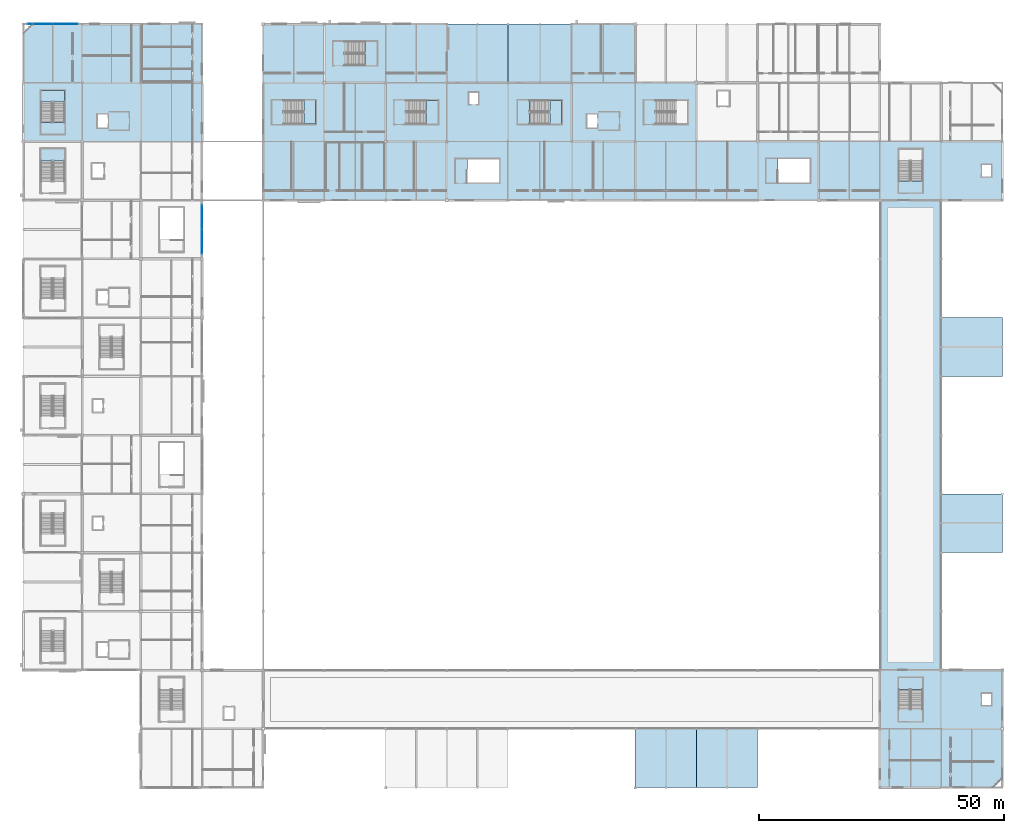
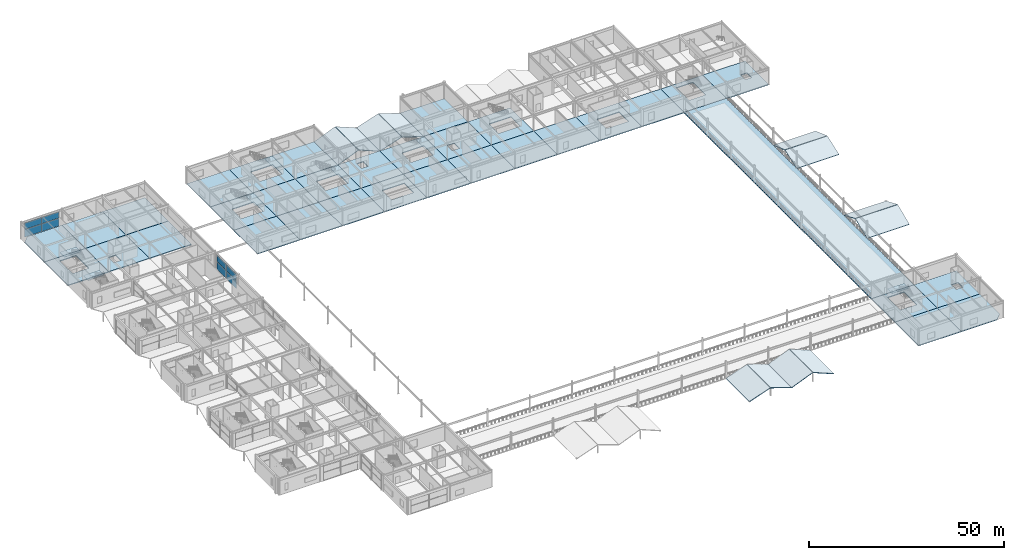
# One storey, part 59 of 105: 53 slabs, 8 plates, 9 elements without a shape of their own.
"""IFC4 building model written with IfcOpenShell, lengths in metres."""

import ifcopenshell
import ifcopenshell.guid

model = None  # the IFC model being written
_history = None  # IfcOwnerHistory: only IFC2X3 demands one
_inside = {}  # id of a spatial element -> (the spatial element, [elements in it])
_under = {}  # id of a project, library or spatial element -> (it, [spatial elements below it])
_declared = {}  # id of a project -> (the project, [libraries it declares])
_typed = {}  # id of a type object -> (the type object, [elements of that type])
_made_of = {}  # id of a material, layer set ... -> (it, [elements and type objects made of it])


def new_model(schema):
    """Start an empty IFC model of exactly this schema.

    Asked for "IFC4X3", IfcOpenShell would pick the latest addendum, in which some entities
    have other attributes; the version numbers below select the first issue.
    IFC2X3 requires an IfcOwnerHistory on every rooted entity: one is made here for all.
    """
    global model, _history
    if schema == "IFC4X3":
        model = ifcopenshell.file(schema_version=(4, 3, 0, 0))
    else:
        model = ifcopenshell.file(schema=schema)
    _inside.clear()
    _under.clear()
    _declared.clear()
    _typed.clear()
    _made_of.clear()
    _history = None
    if model.schema == "IFC2X3":
        org = make("IfcOrganization", Name="unknown")
        user = make(
            "IfcPersonAndOrganization",
            ThePerson=make("IfcPerson", FamilyName="unknown"),
            TheOrganization=org,
        )
        app = make(
            "IfcApplication",
            ApplicationDeveloper=org,
            Version="unknown",
            ApplicationFullName="unknown",
            ApplicationIdentifier="unknown",
        )
        _history = make(
            "IfcOwnerHistory",
            OwningUser=user,
            OwningApplication=app,
            ChangeAction="ADDED",
            CreationDate=0,
        )
    return model


def make(cls, **values):
    """One entity of the class cls with the attributes given. An attribute that is None is left unset."""
    return model.create_entity(
        cls, **{name: value for name, value in values.items() if value is not None}
    )


def rooted(cls, **values):
    """An entity with a GlobalId (a new one), such as an element, a storey or a relation."""
    return make(cls, GlobalId=ifcopenshell.guid.new(), OwnerHistory=_history, **values)


def si_unit(unit_type, name, prefix=None):
    """IfcSIUnit, for example si_unit("LENGTHUNIT", "METRE", prefix="MILLI")."""
    return make("IfcSIUnit", UnitType=unit_type, Prefix=prefix, Name=name)


def assignment(units):
    """IfcUnitAssignment: the units of a project."""
    return None if units is None else make("IfcUnitAssignment", Units=units)


def point(xyz):
    """IfcCartesianPoint."""
    return None if xyz is None else make("IfcCartesianPoint", Coordinates=xyz)


def direction(xyz):
    """IfcDirection."""
    return None if xyz is None else make("IfcDirection", DirectionRatios=xyz)


def frame(location, z_axis=None, x_axis=None):
    """IfcAxis2Placement3D, a coordinate frame: its origin and axes. An axis left out is left unset."""
    return make(
        "IfcAxis2Placement3D",
        Location=point(location),
        Axis=direction(z_axis),
        RefDirection=direction(x_axis),
    )


def frame_2d(location, x_axis=None):
    """IfcAxis2Placement2D, a coordinate frame in the plane: its origin and x axis."""
    return make(
        "IfcAxis2Placement2D", Location=point(location), RefDirection=direction(x_axis)
    )


def origin():
    """The frame at (0, 0, 0) with its axes left unset."""
    return frame((0.0, 0.0, 0.0))


def origin_2d():
    """The frame at (0, 0) in the plane with its x axis left unset."""
    return frame_2d((0.0, 0.0))


def place(relative_to, where):
    """IfcLocalPlacement: puts the frame where relative to a parent placement (None: the world)."""
    return make(
        "IfcLocalPlacement", PlacementRelTo=relative_to, RelativePlacement=where
    )


def context(
    kind, dimensions, precision=None, world=None, true_north=None, identifier=None
):
    """IfcGeometricRepresentationContext, for example the 3D "Model" context."""
    return make(
        "IfcGeometricRepresentationContext",
        ContextIdentifier=identifier,
        ContextType=kind,
        CoordinateSpaceDimension=dimensions,
        Precision=precision,
        WorldCoordinateSystem=world,
        TrueNorth=true_north,
    )


def subcontext(parent, identifier, kind, view, scale=None):
    """IfcGeometricRepresentationSubContext, for example "Body" below "Model"."""
    return make(
        "IfcGeometricRepresentationSubContext",
        ContextIdentifier=identifier,
        ContextType=kind,
        ParentContext=parent,
        TargetScale=scale,
        TargetView=view,
    )


def project(units=None, contexts=None):
    """IfcProject with its units and contexts."""
    return rooted(
        "IfcProject",
        Name="project",
        RepresentationContexts=contexts,
        UnitsInContext=assignment(units),
    )


def spatial(cls, under=None, at=None, **own):
    """A site, building, storey or space (cls), placed at a placement, below another one or the project."""
    s = rooted(cls, ObjectPlacement=at, **own)
    if under is not None:
        _under.setdefault(under.id(), (under, []))[1].append(s)
    return s


def polyline(points):
    """IfcPolyline through the points."""
    return make("IfcPolyline", Points=[point(p) for p in points])


def profile(cls, at=None, kind="AREA", **sizes):
    """A parametric profile (cls). Its sizes go by their IFC names, for example OverallWidth=200.0."""
    return make(cls, ProfileType=kind, Position=at, **sizes)


def rectangle(**sizes):
    """IfcRectangleProfileDef."""
    return profile("IfcRectangleProfileDef", **sizes)


def outline(outer, holes=None, kind="AREA"):
    """IfcArbitraryClosedProfileDef: a profile drawn as a closed curve; with holes, ...WithVoids."""
    if holes is None:
        return make("IfcArbitraryClosedProfileDef", ProfileType=kind, OuterCurve=outer)
    return make(
        "IfcArbitraryProfileDefWithVoids",
        ProfileType=kind,
        OuterCurve=outer,
        InnerCurves=holes,
    )


def extrude(swept, where, along, depth):
    """IfcExtrudedAreaSolid: the profile swept, set in the frame where, extruded along a direction by depth."""
    return make(
        "IfcExtrudedAreaSolid",
        SweptArea=swept,
        Position=where,
        ExtrudedDirection=direction(along),
        Depth=depth,
    )


def shape(context_of_items, identifier, shape_type, items):
    """IfcShapeRepresentation: the items that make up one representation, for example the "Body"."""
    return make(
        "IfcShapeRepresentation",
        ContextOfItems=context_of_items,
        RepresentationIdentifier=identifier,
        RepresentationType=shape_type,
        Items=items,
    )


def material(Name=None, Category=None):
    """IfcMaterial."""
    return make("IfcMaterial", Name=Name, Category=Category)


def layer(
    of_material, thickness, ventilated=None, Name=None, Category=None, Priority=None
):
    """IfcMaterialLayer: one layer of a wall or slab, of a material (None: an air gap)."""
    return make(
        "IfcMaterialLayer",
        Material=of_material,
        LayerThickness=thickness,
        IsVentilated=ventilated,
        Name=Name,
        Category=Category,
        Priority=Priority,
    )


def layer_set(layers, Name=None):
    """IfcMaterialLayerSet."""
    return make("IfcMaterialLayerSet", MaterialLayers=layers, LayerSetName=Name)


def made_of(thing, what):
    """Note that an element or type object is made of a material, layer set ...; save() writes the relation."""
    if what is not None:
        _made_of.setdefault(what.id(), (what, []))[1].append(thing)
    return thing


def type_object(cls, material=None, **own):
    """A type object (cls), such as IfcWallType, which elements share."""
    return made_of(rooted(cls, **own), material)


def element(
    cls,
    number,
    at=None,
    inside=None,
    cuts=None,
    type_object=None,
    material=None,
    context=None,
    identifier="Body",
    shape_type=None,
    held_by="IfcProductDefinitionShape",
    body=None,
    shapes=None,
    **own,
):
    """One element of the class cls, such as IfcWall. Its Tag is "e" and its number.

    at: its placement. inside: the storey or other place that contains it. cuts: it is an
    opening in that element (IfcRelVoidsElement). A single representation is given by context,
    identifier, shape_type and body (its items); several are given by shapes. held_by: the class
    of the entity that holds the representations. save() writes the other relations.
    """
    e = rooted(cls, Tag="e%d" % number, ObjectPlacement=at, **own)
    if body is not None:
        shapes = [shape(context, identifier, shape_type, body)]
    if shapes is not None:
        e.Representation = make(held_by, Representations=shapes)
    if inside is not None:
        _inside.setdefault(inside.id(), (inside, []))[1].append(e)
    if cuts is not None:
        rooted(
            "IfcRelVoidsElement", RelatingBuildingElement=cuts, RelatedOpeningElement=e
        )
    if type_object is not None:
        _typed.setdefault(type_object.id(), (type_object, []))[1].append(e)
    return made_of(e, material)


def aggregate(whole, parts):
    """IfcRelAggregates: a whole, such as a stair, and the parts it consists of."""
    return rooted("IfcRelAggregates", RelatingObject=whole, RelatedObjects=parts)


def save(model, path):
    """Write the relations noted so far, then the file.

    IfcRelAggregates (storeys below a building ...), IfcRelContainedInSpatialStructure (elements
    in a storey), IfcRelDefinesByType, IfcRelAssociatesMaterial and IfcRelDeclares: one each for
    every whole, place, type object, material and project.
    """
    for whole, parts in _under.values():
        aggregate(whole, parts)
    for where, things in _inside.values():
        rooted(
            "IfcRelContainedInSpatialStructure",
            RelatedElements=things,
            RelatingStructure=where,
        )
    for kind, things in _typed.values():
        rooted("IfcRelDefinesByType", RelatedObjects=things, RelatingType=kind)
    for what, things in _made_of.values():
        rooted("IfcRelAssociatesMaterial", RelatedObjects=things, RelatingMaterial=what)
    for by, libraries in _declared.values():
        rooted("IfcRelDeclares", RelatingContext=by, RelatedDefinitions=libraries)
    model.write(path)


model = new_model("IFC4")

# Units and contexts
model_context = context("Model", 3, precision=1e-05, world=origin(), true_north=direction((0.0, 1.0)))
body_context = subcontext(model_context, "Body", "Model", "MODEL_VIEW")
ifc_project = project(units=[si_unit("LENGTHUNIT", "METRE"), si_unit("AREAUNIT", "SQUARE_METRE"), si_unit("VOLUMEUNIT", "CUBIC_METRE"), si_unit("PLANEANGLEUNIT", "RADIAN"), si_unit("MASSUNIT", "GRAM", prefix="KILO")], contexts=[model_context])

# Site, building, storey
site_placement = place(None, origin())
site = spatial("IfcSite", under=ifc_project, at=site_placement, CompositionType="ELEMENT")
building_placement = place(site_placement, origin())
building = spatial("IfcBuilding", under=site, at=building_placement, Name="Kazenohara Klinker Stadium", CompositionType="ELEMENT")
storey_placement = place(building_placement, frame((0.0, 0.0, 20.39990234375)))
storey = spatial("IfcBuildingStorey", under=building, at=storey_placement, Name="L04", CompositionType="ELEMENT", Elevation=20.39990234375)

# Curtain wall, plates
ifc_material_1 = material(Name="Anodised aluminium and triple glazing", Category="aluminium")
ifc_layer_1 = layer(ifc_material_1, 0.179931640625)
ifc_layer_set_1 = layer_set([ifc_layer_1], Name="Anodised aluminium and triple glazing")
curtain_wall_type_1 = type_object("IfcCurtainWallType", Name="CW-SYS-02", PredefinedType="USERDEFINED", material=ifc_layer_set_1)
curtain_wall_1_placement = place(storey_placement, origin())
curtain_wall_1 = element("IfcCurtainWall", 1, at=curtain_wall_1_placement, inside=storey, type_object=curtain_wall_type_1, Name="Unitised facade curtain wall CW02 L04 X0-14", ObjectType="UNITISED CURTAIN WALL", PredefinedType="USERDEFINED")
ifc_material_2 = material(Name="Low-e laminated triple glazing", Category="glass")
ifc_layer_2 = layer(ifc_material_2, 0.0439453125)
ifc_layer_set_2 = layer_set([ifc_layer_2], Name="Low-e laminated triple glazing")
plate_type = type_object("IfcPlateType", Name="CW-PNL-44", PredefinedType="CURTAIN_PANEL", material=ifc_layer_set_2)
plate_1_placement = place(storey_placement, frame((3.451904296875, 168.0, 0.0751953125), z_axis=(0.0, 0.0, 1.0), x_axis=(1.0, 0.0, 0.0)))
plate_1 = element("IfcPlate", 2, at=plate_1_placement, type_object=plate_type, Name="CW02 panel 1.1", PredefinedType="CURTAIN_PANEL", context=body_context, shape_type="SweptSolid", body=[
    extrude(rectangle(XDim=5.0458984375, YDim=0.0439453125, at=origin_2d()), origin(), (0.0, 0.0, 1.0), 2.4130859375),
])
plate_2_placement = place(storey_placement, frame((3.451904296875, 168.0, 2.56298828125), z_axis=(0.0, 0.0, 1.0), x_axis=(1.0, 0.0, 0.0)))
plate_2 = element("IfcPlate", 3, at=plate_2_placement, type_object=plate_type, Name="CW02 panel 1.2", PredefinedType="CURTAIN_PANEL", context=body_context, shape_type="SweptSolid", body=[
    extrude(rectangle(XDim=5.0458984375, YDim=0.0439453125, at=origin_2d()), origin(), (0.0, 0.0, 1.0), 1.953857421875),
])
plate_3_placement = place(storey_placement, frame((8.572998046875, 168.0, 0.0751953125), z_axis=(0.0, 0.0, 1.0), x_axis=(1.0, 0.0, 0.0)))
plate_3 = element("IfcPlate", 4, at=plate_3_placement, type_object=plate_type, Name="CW02 panel 2.1", PredefinedType="CURTAIN_PANEL", context=body_context, shape_type="SweptSolid", body=[
    extrude(rectangle(XDim=5.0458984375, YDim=0.0439453125, at=origin_2d()), origin(), (0.0, 0.0, 1.0), 2.4130859375),
])
plate_4_placement = place(storey_placement, frame((8.572998046875, 168.0, 2.56298828125), z_axis=(0.0, 0.0, 1.0), x_axis=(1.0, 0.0, 0.0)))
plate_4 = element("IfcPlate", 5, at=plate_4_placement, type_object=plate_type, Name="CW02 panel 2.2", PredefinedType="CURTAIN_PANEL", context=body_context, shape_type="SweptSolid", body=[
    extrude(rectangle(XDim=5.0458984375, YDim=0.0439453125, at=origin_2d()), origin(), (0.0, 0.0, 1.0), 1.953857421875),
])
aggregate(curtain_wall_1, [plate_1, plate_2, plate_3, plate_4])

ifc_layer_3 = layer(ifc_material_1, 0.159912109375)
ifc_layer_set_3 = layer_set([ifc_layer_3], Name="Anodised aluminium and triple glazing")
curtain_wall_type_2 = type_object("IfcCurtainWallType", Name="CW-SYS-01", PredefinedType="USERDEFINED", material=ifc_layer_set_3)
curtain_wall_2_placement = place(storey_placement, origin())
curtain_wall_2 = element("IfcCurtainWall", 6, at=curtain_wall_2_placement, inside=storey, type_object=curtain_wall_type_2, Name="Unitised facade curtain wall CW01 L04 Y3-10", ObjectType="UNITISED CURTAIN WALL", PredefinedType="USERDEFINED")
plate_5_placement = place(storey_placement, frame((36.5, 123.520751953125, 0.0751953125), z_axis=(0.0, 0.0, 1.0), x_axis=(0.0, 1.0, 0.0)))
plate_5 = element("IfcPlate", 7, at=plate_5_placement, type_object=plate_type, Name="CW01 panel 1.1", PredefinedType="CURTAIN_PANEL", context=body_context, shape_type="SweptSolid", body=[
    extrude(rectangle(XDim=4.9833984375, YDim=0.0439453125, at=origin_2d()), origin(), (0.0, 0.0, 1.0), 2.406494140625),
])
plate_6_placement = place(storey_placement, frame((36.5, 123.520751953125, 2.556640625), z_axis=(0.0, 0.0, 1.0), x_axis=(0.0, 1.0, 0.0)))
plate_6 = element("IfcPlate", 8, at=plate_6_placement, type_object=plate_type, Name="CW01 panel 1.2", PredefinedType="CURTAIN_PANEL", context=body_context, shape_type="SweptSolid", body=[
    extrude(rectangle(XDim=4.9833984375, YDim=0.0439453125, at=origin_2d()), origin(), (0.0, 0.0, 1.0), 1.948486328125),
])
plate_7_placement = place(storey_placement, frame((36.5, 128.579345703125, 0.0751953125), z_axis=(0.0, 0.0, 1.0), x_axis=(0.0, 1.0, 0.0)))
plate_7 = element("IfcPlate", 9, at=plate_7_placement, type_object=plate_type, Name="CW01 panel 2.1", PredefinedType="CURTAIN_PANEL", context=body_context, shape_type="SweptSolid", body=[
    extrude(rectangle(XDim=4.9833984375, YDim=0.0439453125, at=origin_2d()), origin(), (0.0, 0.0, 1.0), 2.406494140625),
])
plate_8_placement = place(storey_placement, frame((36.5, 128.579345703125, 2.556640625), z_axis=(0.0, 0.0, 1.0), x_axis=(0.0, 1.0, 0.0)))
plate_8 = element("IfcPlate", 10, at=plate_8_placement, type_object=plate_type, Name="CW01 panel 2.2", PredefinedType="CURTAIN_PANEL", context=body_context, shape_type="SweptSolid", body=[
    extrude(rectangle(XDim=4.9833984375, YDim=0.0439453125, at=origin_2d()), origin(), (0.0, 0.0, 1.0), 1.948486328125),
])
aggregate(curtain_wall_2, [plate_5, plate_6, plate_7, plate_8])

# Slabs
ifc_material_3 = material(Name="Concrete C40/50", Category="concrete")
ifc_layer_4 = layer(ifc_material_3, 0.239990234375)
ifc_layer_set_4 = layer_set([ifc_layer_4], Name="Concrete C40/50")
slab_type_1 = type_object("IfcSlabType", Name="SLB-FLR-240", PredefinedType="FLOOR", material=ifc_layer_set_4)
slab_1_placement = place(storey_placement, frame((0.0, 0.0, -0.239990234375)))
element("IfcSlab", 11, at=slab_1_placement, inside=storey, type_object=slab_type_1, Name="Floor slab FS05 L04 1/N", PredefinedType="FLOOR", context=body_context, shape_type="SweptSolid", body=[
    extrude(outline(polyline([(0.0, 144.0), (12.0, 144.0), (12.0, 156.0), (0.0, 156.0), (0.0, 144.0)]), holes=[polyline([(8.409912109375, 147.929931640625), (8.409912109375, 154.4599609375), (3.590087890625, 154.4599609375), (3.590087890625, 147.929931640625), (8.409912109375, 147.929931640625)])]), origin(), (0.0, 0.0, 1.0), 0.239990234375),
])
slab_2_placement = place(storey_placement, frame((0.0, 0.0, -0.239990234375)))
element("IfcSlab", 12, at=slab_2_placement, inside=storey, type_object=slab_type_1, Name="Floor slab FS05 L04 1/P", PredefinedType="FLOOR", context=body_context, shape_type="SweptSolid", body=[
    extrude(outline(polyline([(0.0, 156.0), (12.0, 156.0), (12.0, 168.0), (1.800048828125, 168.0), (0.0, 166.199951171875), (0.0, 156.0)])), origin(), (0.0, 0.0, 1.0), 0.239990234375),
])
slab_3_placement = place(storey_placement, frame((0.0, 0.0, -0.239990234375)))
element("IfcSlab", 13, at=slab_3_placement, inside=storey, type_object=slab_type_1, Name="Floor slab FS05 L04 2/N", PredefinedType="FLOOR", context=body_context, shape_type="SweptSolid", body=[
    extrude(outline(polyline([(12.0, 144.0), (24.0, 144.0), (24.0, 156.0), (12.0, 156.0), (12.0, 144.0)]), holes=[polyline([(15.14990234375, 146.85009765625), (17.25, 146.85009765625), (17.25, 149.550048828125), (15.14990234375, 149.550048828125), (15.14990234375, 146.85009765625)])]), origin(), (0.0, 0.0, 1.0), 0.239990234375),
])
slab_4_placement = place(storey_placement, frame((0.0, 0.0, -0.239990234375)))
element("IfcSlab", 14, at=slab_4_placement, inside=storey, type_object=slab_type_1, Name="Floor slab FS05 L04 2/P", PredefinedType="FLOOR", context=body_context, shape_type="SweptSolid", body=[
    extrude(outline(polyline([(12.0, 156.0), (24.0, 156.0), (24.0, 168.0), (12.0, 168.0), (12.0, 156.0)])), origin(), (0.0, 0.0, 1.0), 0.239990234375),
])
slab_5_placement = place(storey_placement, frame((0.0, 0.0, -0.239990234375)))
element("IfcSlab", 15, at=slab_5_placement, inside=storey, type_object=slab_type_1, Name="Floor slab FS05 L04 3/N", PredefinedType="FLOOR", context=body_context, shape_type="SweptSolid", body=[
    extrude(outline(polyline([(24.0, 144.0), (36.5, 144.0), (36.5, 156.0), (24.0, 156.0), (24.0, 144.0)])), origin(), (0.0, 0.0, 1.0), 0.239990234375),
])
slab_6_placement = place(storey_placement, frame((0.0, 0.0, -0.239990234375)))
element("IfcSlab", 16, at=slab_6_placement, inside=storey, type_object=slab_type_1, Name="Floor slab FS05 L04 3/P", PredefinedType="FLOOR", context=body_context, shape_type="SweptSolid", body=[
    extrude(outline(polyline([(24.0, 156.0), (36.5, 156.0), (36.5, 168.0), (24.0, 168.0), (24.0, 156.0)])), origin(), (0.0, 0.0, 1.0), 0.239990234375),
])
slab_7_placement = place(storey_placement, frame((0.0, 0.0, -0.239990234375)))
element("IfcSlab", 17, at=slab_7_placement, inside=storey, type_object=slab_type_1, Name="Floor slab FS05 L04 5/M", PredefinedType="FLOOR", context=body_context, shape_type="SweptSolid", body=[
    extrude(outline(polyline([(49.0, 132.0), (61.5, 132.0), (61.5, 144.0), (49.0, 144.0), (49.0, 132.0)])), origin(), (0.0, 0.0, 1.0), 0.239990234375),
])
slab_8_placement = place(storey_placement, frame((0.0, 0.0, -0.239990234375)))
element("IfcSlab", 18, at=slab_8_placement, inside=storey, type_object=slab_type_1, Name="Floor slab FS05 L04 5/N", PredefinedType="FLOOR", context=body_context, shape_type="SweptSolid", body=[
    extrude(outline(polyline([(49.0, 144.0), (61.5, 144.0), (61.5, 156.0), (49.0, 156.0), (49.0, 144.0)]), holes=[polyline([(53.2099609375, 147.56005859375), (59.7099609375, 147.56005859375), (59.7099609375, 152.43994140625), (53.2099609375, 152.43994140625), (53.2099609375, 147.56005859375)])]), origin(), (0.0, 0.0, 1.0), 0.239990234375),
])
slab_9_placement = place(storey_placement, frame((0.0, 0.0, -0.239990234375)))
element("IfcSlab", 19, at=slab_9_placement, inside=storey, type_object=slab_type_1, Name="Floor slab FS05 L04 5/P", PredefinedType="FLOOR", context=body_context, shape_type="SweptSolid", body=[
    extrude(outline(polyline([(49.0, 156.0), (61.5, 156.0), (61.5, 168.0), (49.0, 168.0), (49.0, 156.0)])), origin(), (0.0, 0.0, 1.0), 0.239990234375),
])
slab_10_placement = place(storey_placement, frame((0.0, 0.0, -0.239990234375)))
element("IfcSlab", 20, at=slab_10_placement, inside=storey, type_object=slab_type_1, Name="Floor slab FS05 L04 6/M", PredefinedType="FLOOR", context=body_context, shape_type="SweptSolid", body=[
    extrude(outline(polyline([(61.5, 132.0), (74.0, 132.0), (74.0, 144.0), (61.5, 144.0), (61.5, 132.0)])), origin(), (0.0, 0.0, 1.0), 0.239990234375),
])
slab_11_placement = place(storey_placement, frame((0.0, 0.0, -0.239990234375)))
element("IfcSlab", 21, at=slab_11_placement, inside=storey, type_object=slab_type_1, Name="Floor slab FS05 L04 6/N", PredefinedType="FLOOR", context=body_context, shape_type="SweptSolid", body=[
    extrude(outline(polyline([(61.5, 144.0), (74.0, 144.0), (74.0, 156.0), (61.5, 156.0), (61.5, 144.0)])), origin(), (0.0, 0.0, 1.0), 0.239990234375),
])
slab_12_placement = place(storey_placement, frame((0.0, 0.0, -0.239990234375)))
element("IfcSlab", 22, at=slab_12_placement, inside=storey, type_object=slab_type_1, Name="Floor slab FS05 L04 6/P", PredefinedType="FLOOR", context=body_context, shape_type="SweptSolid", body=[
    extrude(outline(polyline([(61.5, 156.0), (74.0, 156.0), (74.0, 168.0), (61.5, 168.0), (61.5, 156.0)]), holes=[polyline([(65.699951171875, 159.570068359375), (72.2099609375, 159.570068359375), (72.2099609375, 164.429931640625), (65.699951171875, 164.429931640625), (65.699951171875, 159.570068359375)])]), origin(), (0.0, 0.0, 1.0), 0.239990234375),
])
slab_13_placement = place(storey_placement, frame((0.0, 0.0, -0.239990234375)))
element("IfcSlab", 23, at=slab_13_placement, inside=storey, type_object=slab_type_1, Name="Floor slab FS05 L04 7/M", PredefinedType="FLOOR", context=body_context, shape_type="SweptSolid", body=[
    extrude(outline(polyline([(74.0, 132.0), (86.5, 132.0), (86.5, 144.0), (74.0, 144.0), (74.0, 132.0)])), origin(), (0.0, 0.0, 1.0), 0.239990234375),
])
slab_14_placement = place(storey_placement, frame((0.0, 0.0, -0.239990234375)))
element("IfcSlab", 24, at=slab_14_placement, inside=storey, type_object=slab_type_1, Name="Floor slab FS05 L04 7/N", PredefinedType="FLOOR", context=body_context, shape_type="SweptSolid", body=[
    extrude(outline(polyline([(74.0, 144.0), (86.5, 144.0), (86.5, 156.0), (74.0, 156.0), (74.0, 144.0)]), holes=[polyline([(78.169921875, 147.60009765625), (84.7099609375, 147.60009765625), (84.7099609375, 152.39990234375), (78.169921875, 152.39990234375), (78.169921875, 147.60009765625)])]), origin(), (0.0, 0.0, 1.0), 0.239990234375),
])
slab_15_placement = place(storey_placement, frame((0.0, 0.0, -0.239990234375)))
element("IfcSlab", 25, at=slab_15_placement, inside=storey, type_object=slab_type_1, Name="Floor slab FS05 L04 7/P", PredefinedType="FLOOR", context=body_context, shape_type="SweptSolid", body=[
    extrude(outline(polyline([(74.0, 156.0), (86.5, 156.0), (86.5, 168.0), (74.0, 168.0), (74.0, 156.0)])), origin(), (0.0, 0.0, 1.0), 0.239990234375),
])
slab_16_placement = place(storey_placement, frame((0.0, 0.0, -0.239990234375)))
element("IfcSlab", 26, at=slab_16_placement, inside=storey, type_object=slab_type_1, Name="Floor slab FS05 L04 8/M", PredefinedType="FLOOR", context=body_context, shape_type="SweptSolid", body=[
    extrude(outline(polyline([(86.5, 132.0), (99.0, 132.0), (99.0, 144.0), (86.5, 144.0), (86.5, 132.0)]), holes=[polyline([(90.699951171875, 135.570068359375), (97.2099609375, 135.570068359375), (97.2099609375, 140.429931640625), (90.699951171875, 140.429931640625), (90.699951171875, 135.570068359375)])]), origin(), (0.0, 0.0, 1.0), 0.239990234375),
])
slab_17_placement = place(storey_placement, frame((0.0, 0.0, -0.239990234375)))
element("IfcSlab", 27, at=slab_17_placement, inside=storey, type_object=slab_type_1, Name="Floor slab FS05 L04 8/N", PredefinedType="FLOOR", context=body_context, shape_type="SweptSolid", body=[
    extrude(outline(polyline([(86.5, 144.0), (99.0, 144.0), (99.0, 156.0), (86.5, 156.0), (86.5, 144.0)]), holes=[polyline([(91.050048828125, 151.60009765625), (92.949951171875, 151.60009765625), (92.949951171875, 154.0), (91.050048828125, 154.0), (91.050048828125, 151.60009765625)])]), origin(), (0.0, 0.0, 1.0), 0.239990234375),
])
slab_18_placement = place(storey_placement, frame((0.0, 0.0, -0.239990234375)))
element("IfcSlab", 28, at=slab_18_placement, inside=storey, type_object=slab_type_1, Name="Floor slab FS05 L04 9/M", PredefinedType="FLOOR", context=body_context, shape_type="SweptSolid", body=[
    extrude(outline(polyline([(99.0, 132.0), (112.0, 132.0), (112.0, 144.0), (99.0, 144.0), (99.0, 132.0)])), origin(), (0.0, 0.0, 1.0), 0.239990234375),
])
slab_19_placement = place(storey_placement, frame((0.0, 0.0, -0.239990234375)))
element("IfcSlab", 29, at=slab_19_placement, inside=storey, type_object=slab_type_1, Name="Floor slab FS05 L04 9/N", PredefinedType="FLOOR", context=body_context, shape_type="SweptSolid", body=[
    extrude(outline(polyline([(99.0, 144.0), (112.0, 144.0), (112.0, 156.0), (99.0, 156.0), (99.0, 144.0)]), holes=[polyline([(103.429931640625, 147.590087890625), (109.9599609375, 147.590087890625), (109.9599609375, 152.409912109375), (103.429931640625, 152.409912109375), (103.429931640625, 147.590087890625)])]), origin(), (0.0, 0.0, 1.0), 0.239990234375),
])
slab_20_placement = place(storey_placement, frame((0.0, 0.0, -0.239990234375)))
element("IfcSlab", 30, at=slab_20_placement, inside=storey, type_object=slab_type_1, Name="Floor slab FS05 L04 10/M", PredefinedType="FLOOR", context=body_context, shape_type="SweptSolid", body=[
    extrude(outline(polyline([(112.0, 132.0), (125.0, 132.0), (125.0, 144.0), (112.0, 144.0), (112.0, 132.0)])), origin(), (0.0, 0.0, 1.0), 0.239990234375),
])
slab_21_placement = place(storey_placement, frame((0.0, 0.0, -0.239990234375)))
element("IfcSlab", 31, at=slab_21_placement, inside=storey, type_object=slab_type_1, Name="Floor slab FS05 L04 10/N", PredefinedType="FLOOR", context=body_context, shape_type="SweptSolid", body=[
    extrude(outline(polyline([(112.0, 144.0), (125.0, 144.0), (125.0, 156.0), (112.0, 156.0), (112.0, 144.0)]), holes=[polyline([(115.14990234375, 146.85009765625), (117.25, 146.85009765625), (117.25, 149.550048828125), (115.14990234375, 149.550048828125), (115.14990234375, 146.85009765625)])]), origin(), (0.0, 0.0, 1.0), 0.239990234375),
])
slab_22_placement = place(storey_placement, frame((0.0, 0.0, -0.239990234375)))
element("IfcSlab", 32, at=slab_22_placement, inside=storey, type_object=slab_type_1, Name="Floor slab FS05 L04 10/P", PredefinedType="FLOOR", context=body_context, shape_type="SweptSolid", body=[
    extrude(outline(polyline([(112.0, 156.0), (125.0, 156.0), (125.0, 168.0), (112.0, 168.0), (112.0, 156.0)])), origin(), (0.0, 0.0, 1.0), 0.239990234375),
])
slab_23_placement = place(storey_placement, frame((0.0, 0.0, -0.239990234375)))
element("IfcSlab", 33, at=slab_23_placement, inside=storey, type_object=slab_type_1, Name="Floor slab FS05 L04 11/M", PredefinedType="FLOOR", context=body_context, shape_type="SweptSolid", body=[
    extrude(outline(polyline([(125.0, 132.0), (137.5, 132.0), (137.5, 144.0), (125.0, 144.0), (125.0, 132.0)])), origin(), (0.0, 0.0, 1.0), 0.239990234375),
])
slab_24_placement = place(storey_placement, frame((0.0, 0.0, -0.239990234375)))
element("IfcSlab", 34, at=slab_24_placement, inside=storey, type_object=slab_type_1, Name="Floor slab FS05 L04 11/N", PredefinedType="FLOOR", context=body_context, shape_type="SweptSolid", body=[
    extrude(outline(polyline([(125.0, 144.0), (137.5, 144.0), (137.5, 156.0), (125.0, 156.0), (125.0, 144.0)]), holes=[polyline([(129.199951171875, 147.570068359375), (135.7099609375, 147.570068359375), (135.7099609375, 152.429931640625), (129.199951171875, 152.429931640625), (129.199951171875, 147.570068359375)])]), origin(), (0.0, 0.0, 1.0), 0.239990234375),
])
slab_25_placement = place(storey_placement, frame((0.0, 0.0, -0.239990234375)))
element("IfcSlab", 35, at=slab_25_placement, inside=storey, type_object=slab_type_1, Name="Floor slab FS05 L04 12/M", PredefinedType="FLOOR", context=body_context, shape_type="SweptSolid", body=[
    extrude(outline(polyline([(137.5, 132.0), (150.0, 132.0), (150.0, 144.0), (137.5, 144.0), (137.5, 132.0)])), origin(), (0.0, 0.0, 1.0), 0.239990234375),
])
slab_26_placement = place(storey_placement, frame((0.0, 0.0, -0.239990234375)))
element("IfcSlab", 36, at=slab_26_placement, inside=storey, type_object=slab_type_1, Name="Floor slab FS05 L04 13/M", PredefinedType="FLOOR", context=body_context, shape_type="SweptSolid", body=[
    extrude(outline(polyline([(150.0, 132.0), (162.5, 132.0), (162.5, 144.0), (150.0, 144.0), (150.0, 132.0)]), holes=[polyline([(154.2099609375, 135.56005859375), (160.7099609375, 135.56005859375), (160.7099609375, 140.43994140625), (154.2099609375, 140.43994140625), (154.2099609375, 135.56005859375)])]), origin(), (0.0, 0.0, 1.0), 0.239990234375),
])
slab_27_placement = place(storey_placement, frame((0.0, 0.0, -0.239990234375)))
element("IfcSlab", 37, at=slab_27_placement, inside=storey, type_object=slab_type_1, Name="Floor slab FS05 L04 14/M", PredefinedType="FLOOR", context=body_context, shape_type="SweptSolid", body=[
    extrude(outline(polyline([(162.5, 132.0), (175.0, 132.0), (175.0, 144.0), (162.5, 144.0), (162.5, 132.0)])), origin(), (0.0, 0.0, 1.0), 0.239990234375),
])
slab_28_placement = place(storey_placement, frame((0.0, 0.0, -0.239990234375)))
element("IfcSlab", 38, at=slab_28_placement, inside=storey, type_object=slab_type_1, Name="Floor slab FS05 L04 15/B", PredefinedType="FLOOR", context=body_context, shape_type="SweptSolid", body=[
    extrude(outline(polyline([(175.0, 12.0), (187.5, 12.0), (187.5, 24.0), (175.0, 24.0), (175.0, 12.0)])), origin(), (0.0, 0.0, 1.0), 0.239990234375),
])
slab_29_placement = place(storey_placement, frame((0.0, 0.0, -0.239990234375)))
element("IfcSlab", 39, at=slab_29_placement, inside=storey, type_object=slab_type_1, Name="Floor slab FS05 L04 15/C", PredefinedType="FLOOR", context=body_context, shape_type="SweptSolid", body=[
    extrude(outline(polyline([(175.0, 24.0), (187.5, 24.0), (187.5, 36.0), (175.0, 36.0), (175.0, 24.0)]), holes=[polyline([(183.68994140625, 27.9599609375), (183.68994140625, 34.4599609375), (178.81005859375, 34.4599609375), (178.81005859375, 27.9599609375), (183.68994140625, 27.9599609375)])]), origin(), (0.0, 0.0, 1.0), 0.239990234375),
])
slab_30_placement = place(storey_placement, frame((0.0, 0.0, -0.239990234375)))
element("IfcSlab", 40, at=slab_30_placement, inside=storey, type_object=slab_type_1, Name="Floor slab FS05 L04 15/M", PredefinedType="FLOOR", context=body_context, shape_type="SweptSolid", body=[
    extrude(outline(polyline([(175.0, 132.0), (187.5, 132.0), (187.5, 144.0), (175.0, 144.0), (175.0, 132.0)]), holes=[polyline([(183.68994140625, 135.9599609375), (183.68994140625, 142.4599609375), (178.81005859375, 142.4599609375), (178.81005859375, 135.9599609375), (183.68994140625, 135.9599609375)])]), origin(), (0.0, 0.0, 1.0), 0.239990234375),
])
slab_31_placement = place(storey_placement, frame((0.0, 0.0, -0.239990234375)))
element("IfcSlab", 41, at=slab_31_placement, inside=storey, type_object=slab_type_1, Name="Floor slab FS05 L04 16/B", PredefinedType="FLOOR", context=body_context, shape_type="SweptSolid", body=[
    extrude(outline(polyline([(187.5, 12.0), (198.199951171875, 12.0), (200.0, 13.800048828125), (200.0, 24.0), (187.5, 24.0), (187.5, 12.0)])), origin(), (0.0, 0.0, 1.0), 0.239990234375),
])
slab_32_placement = place(storey_placement, frame((0.0, 0.0, -0.239990234375)))
element("IfcSlab", 42, at=slab_32_placement, inside=storey, type_object=slab_type_1, Name="Floor slab FS05 L04 16/C", PredefinedType="FLOOR", context=body_context, shape_type="SweptSolid", body=[
    extrude(outline(polyline([(187.5, 24.0), (200.0, 24.0), (200.0, 36.0), (187.5, 36.0), (187.5, 24.0)]), holes=[polyline([(195.85009765625, 28.800048828125), (197.75, 28.800048828125), (197.75, 31.199951171875), (195.85009765625, 31.199951171875), (195.85009765625, 28.800048828125)])]), origin(), (0.0, 0.0, 1.0), 0.239990234375),
])
slab_33_placement = place(storey_placement, frame((0.0, 0.0, -0.239990234375)))
element("IfcSlab", 43, at=slab_33_placement, inside=storey, type_object=slab_type_1, Name="Floor slab FS05 L04 16/M", PredefinedType="FLOOR", context=body_context, shape_type="SweptSolid", body=[
    extrude(outline(polyline([(187.5, 132.0), (200.0, 132.0), (200.0, 144.0), (187.5, 144.0), (187.5, 132.0)]), holes=[polyline([(195.85009765625, 136.800048828125), (197.75, 136.800048828125), (197.75, 139.199951171875), (195.85009765625, 139.199951171875), (195.85009765625, 136.800048828125)])]), origin(), (0.0, 0.0, 1.0), 0.239990234375),
])

# Stair, slab
stair_type_1 = type_object("IfcStairType", Name="STR-DL-2300", PredefinedType="HALF_TURN_STAIR", material=ifc_material_3)
stair_1_placement = place(storey_placement, origin())
stair_1 = element("IfcStair", 44, at=stair_1_placement, inside=storey, type_object=stair_type_1, Name="L04 Enclosed escape stair ST05", PredefinedType="HALF_TURN_STAIR")
ifc_layer_5 = layer(ifc_material_3, 0.199951171875)
ifc_layer_set_5 = layer_set([ifc_layer_5], Name="Concrete C40/50")
slab_type_2 = type_object("IfcSlabType", Name="SLB-LND-200", PredefinedType="LANDING", material=ifc_layer_set_5)
slab_34_placement = place(storey_placement, frame((0.0, 0.0, 2.5)))
slab_34 = element("IfcSlab", 45, at=slab_34_placement, type_object=slab_type_2, Name="ST05 landing 1", PredefinedType="LANDING", context=body_context, shape_type="SweptSolid", body=[
    extrude(outline(polyline([(8.39990234375, 140.0400390625), (8.39990234375, 142.4599609375), (3.60009765625, 142.4599609375), (3.60009765625, 140.0400390625), (8.39990234375, 140.0400390625)])), origin(), (0.0, 0.0, 1.0), 0.2001953125),
])
aggregate(stair_1, [slab_34])

stair_type_2 = type_object("IfcStairType", Name="STR-DL-2310", PredefinedType="HALF_TURN_STAIR", material=ifc_material_3)
stair_2_placement = place(storey_placement, origin())
stair_2 = element("IfcStair", 46, at=stair_2_placement, inside=storey, type_object=stair_type_2, Name="L04 Enclosed escape stair ST06", PredefinedType="HALF_TURN_STAIR")
slab_35_placement = place(storey_placement, frame((0.0, 0.0, 2.5)))
slab_35 = element("IfcSlab", 47, at=slab_35_placement, type_object=slab_type_2, Name="ST06 landing 1", PredefinedType="LANDING", context=body_context, shape_type="SweptSolid", body=[
    extrude(outline(polyline([(8.409912109375, 152.050048828125), (8.409912109375, 154.4599609375), (3.590087890625, 154.4599609375), (3.590087890625, 152.050048828125), (8.409912109375, 152.050048828125)])), origin(), (0.0, 0.0, 1.0), 0.2001953125),
])
aggregate(stair_2, [slab_35])

stair_type_3 = type_object("IfcStairType", Name="STR-DL-2340", PredefinedType="HALF_TURN_STAIR", material=ifc_material_3)
stair_3_placement = place(storey_placement, origin())
stair_3 = element("IfcStair", 48, at=stair_3_placement, inside=storey, type_object=stair_type_3, Name="L04 Enclosed escape stair ST08", PredefinedType="HALF_TURN_STAIR")
slab_36_placement = place(storey_placement, frame((0.0, 0.0, 2.5)))
slab_36 = element("IfcSlab", 49, at=slab_36_placement, type_object=slab_type_2, Name="ST08 landing 1", PredefinedType="LANDING", context=body_context, shape_type="SweptSolid", body=[
    extrude(outline(polyline([(57.330078125, 147.56005859375), (59.7099609375, 147.56005859375), (59.7099609375, 152.43994140625), (57.330078125, 152.43994140625), (57.330078125, 147.56005859375)])), origin(), (0.0, 0.0, 1.0), 0.2001953125),
])
aggregate(stair_3, [slab_36])

stair_4_placement = place(storey_placement, origin())
stair_4 = element("IfcStair", 50, at=stair_4_placement, inside=storey, type_object=stair_type_1, Name="L04 Enclosed escape stair ST09", PredefinedType="HALF_TURN_STAIR")
slab_37_placement = place(storey_placement, frame((0.0, 0.0, 2.5)))
slab_37 = element("IfcSlab", 51, at=slab_37_placement, type_object=slab_type_2, Name="ST09 landing 1", PredefinedType="LANDING", context=body_context, shape_type="SweptSolid", body=[
    extrude(outline(polyline([(82.2900390625, 147.60009765625), (84.7099609375, 147.60009765625), (84.7099609375, 152.39990234375), (82.2900390625, 152.39990234375), (82.2900390625, 147.60009765625)])), origin(), (0.0, 0.0, 1.0), 0.2001953125),
])
aggregate(stair_4, [slab_37])

stair_5_placement = place(storey_placement, origin())
stair_5 = element("IfcStair", 52, at=stair_5_placement, inside=storey, type_object=stair_type_2, Name="L04 Enclosed escape stair ST10", PredefinedType="HALF_TURN_STAIR")
slab_38_placement = place(storey_placement, frame((0.0, 0.0, 2.5)))
slab_38 = element("IfcSlab", 53, at=slab_38_placement, type_object=slab_type_2, Name="ST10 landing 1", PredefinedType="LANDING", context=body_context, shape_type="SweptSolid", body=[
    extrude(outline(polyline([(107.550048828125, 147.590087890625), (109.9599609375, 147.590087890625), (109.9599609375, 152.409912109375), (107.550048828125, 152.409912109375), (107.550048828125, 147.590087890625)])), origin(), (0.0, 0.0, 1.0), 0.2001953125),
])
aggregate(stair_5, [slab_38])

stair_type_4 = type_object("IfcStairType", Name="STR-DL-2330", PredefinedType="HALF_TURN_STAIR", material=ifc_material_3)
stair_6_placement = place(storey_placement, origin())
stair_6 = element("IfcStair", 54, at=stair_6_placement, inside=storey, type_object=stair_type_4, Name="L04 Enclosed escape stair ST15", PredefinedType="HALF_TURN_STAIR")
slab_39_placement = place(storey_placement, frame((0.0, 0.0, 2.5)))
slab_39 = element("IfcSlab", 55, at=slab_39_placement, type_object=slab_type_2, Name="ST15 landing 1", PredefinedType="LANDING", context=body_context, shape_type="SweptSolid", body=[
    extrude(outline(polyline([(69.820068359375, 159.570068359375), (72.2099609375, 159.570068359375), (72.2099609375, 164.429931640625), (69.820068359375, 164.429931640625), (69.820068359375, 159.570068359375)])), origin(), (0.0, 0.0, 1.0), 0.2001953125),
])
aggregate(stair_6, [slab_39])

stair_7_placement = place(storey_placement, origin())
stair_7 = element("IfcStair", 56, at=stair_7_placement, inside=storey, type_object=stair_type_3, Name="L04 Enclosed escape stair ST16", PredefinedType="HALF_TURN_STAIR")
slab_40_placement = place(storey_placement, frame((0.0, 0.0, 2.5)))
slab_40 = element("IfcSlab", 57, at=slab_40_placement, type_object=slab_type_2, Name="ST16 landing 1", PredefinedType="LANDING", context=body_context, shape_type="SweptSolid", body=[
    extrude(outline(polyline([(183.68994140625, 32.080078125), (183.68994140625, 34.4599609375), (178.81005859375, 34.4599609375), (178.81005859375, 32.080078125), (183.68994140625, 32.080078125)])), origin(), (0.0, 0.0, 1.0), 0.2001953125),
])
aggregate(stair_7, [slab_40])

# Slabs
ifc_material_4 = material(Name="Steel S355", Category="steel")
ifc_layer_6 = layer(ifc_material_4, 0.169921875)
ifc_layer_set_6 = layer_set([ifc_layer_6], Name="Steel S355")
slab_type_3 = type_object("IfcSlabType", Name="SLB-ROOF-170", PredefinedType="ROOF", material=ifc_layer_set_6)
for number, where, z_axis, x_axis, name in (
    (58, (86.5, 156.0, -0.079833984375), (-0.380383442935, 0.0, 0.924828868678), (0.924828868678, 0.0, 0.380383442935), "Sloped snow-shedding wing roof RS02 L04 8/P A"),
    (59, (92.800048828125, 156.0, 2.47021484375), (0.380383442935, 0.0, 0.924828868678), (0.924828868678, 0.0, -0.380383442935), "Sloped snow-shedding wing roof RS02 L04 8/P B"),
):
    element("IfcSlab", number, at=place(storey_placement, frame(where, z_axis=z_axis, x_axis=x_axis)), inside=storey, type_object=slab_type_3, Name=name, PredefinedType="ROOF", context=body_context, shape_type="SweptSolid", body=[
        extrude(outline(polyline([(0.0, 0.0), (6.703890181040846, 0.0), (6.703890181040846, 12.0), (0.0, 12.0), (0.0, 0.0)])), origin(), (0.0, 0.0, -1.0), 0.169921875),
    ])
for number, where, z_axis, x_axis, name in (
    (60, (99.0, 156.0, -0.079833984375), (-0.316216993217, 0.0, 0.948686888916), (0.948686888916, 0.0, 0.316216993217), "Sloped snow-shedding wing roof RS02 L04 9/P A"),
    (61, (105.550048828125, 156.0, 2.070068359375), (0.316216993217, 0.0, 0.948686888916), (0.948686888916, 0.0, -0.316216993217), "Sloped snow-shedding wing roof RS02 L04 9/P B"),
):
    element("IfcSlab", number, at=place(storey_placement, frame(where, z_axis=z_axis, x_axis=x_axis)), inside=storey, type_object=slab_type_3, Name=name, PredefinedType="ROOF", context=body_context, shape_type="SweptSolid", body=[
        extrude(outline(polyline([(0.0, 0.0), (6.7988197657559235, 0.0), (6.7988197657559235, 12.0), (0.0, 12.0), (0.0, 0.0)])), origin(), (0.0, 0.0, -1.0), 0.169921875),
    ])
for number, where, z_axis, x_axis, name in (
    (62, (125.0, 12.0, -0.079833984375), (-0.327622925614, 0.0, 0.944808561886), (0.944808561886, 0.0, 0.327622925614), "Sloped snow-shedding wing roof RS02 L04 11/B A"),
    (63, (131.300048828125, 12.0, 2.070068359375), (0.327622925614, 0.0, 0.944808561886), (0.944808561886, 0.0, -0.327622925614), "Sloped snow-shedding wing roof RS02 L04 11/B B"),
):
    element("IfcSlab", number, at=place(storey_placement, frame(where, z_axis=z_axis, x_axis=x_axis)), inside=storey, type_object=slab_type_3, Name=name, PredefinedType="ROOF", context=body_context, shape_type="SweptSolid", body=[
        extrude(outline(polyline([(0.0, 0.0), (6.5621242461032345, 0.0), (6.5621242461032345, 12.0), (0.0, 12.0), (0.0, 0.0)])), origin(), (0.0, 0.0, -1.0), 0.169921875),
    ])
for number, where, z_axis, x_axis, name in (
    (64, (137.5, 12.0, -0.079833984375), (-0.380383442935, 0.0, 0.924828868678), (0.924828868678, 0.0, 0.380383442935), "Sloped snow-shedding wing roof RS02 L04 12/B A"),
    (65, (143.800048828125, 12.0, 2.47021484375), (0.380383442935, 0.0, 0.924828868678), (0.924828868678, 0.0, -0.380383442935), "Sloped snow-shedding wing roof RS02 L04 12/B B"),
):
    element("IfcSlab", number, at=place(storey_placement, frame(where, z_axis=z_axis, x_axis=x_axis)), inside=storey, type_object=slab_type_3, Name=name, PredefinedType="ROOF", context=body_context, shape_type="SweptSolid", body=[
        extrude(outline(polyline([(0.0, 0.0), (6.703890181040846, 0.0), (6.703890181040846, 12.0), (0.0, 12.0), (0.0, 0.0)])), origin(), (0.0, 0.0, -1.0), 0.169921875),
    ])
for number, where, z_axis, x_axis, name in (
    (66, (187.5, 60.0, -0.079833984375), (0.0, -0.39392840207, 0.919141128469), (1.0, 0.0, 0.0), "Sloped snow-shedding wing roof RS02 L04 16/F A"),
    (67, (187.5, 66.050048828125, 2.47021484375), (0.0, 0.39392840207, 0.919141128469), (1.0, 0.0, 0.0), "Sloped snow-shedding wing roof RS02 L04 16/F B"),
):
    element("IfcSlab", number, at=place(storey_placement, frame(where, z_axis=z_axis, x_axis=x_axis)), inside=storey, type_object=slab_type_3, Name=name, PredefinedType="ROOF", context=body_context, shape_type="SweptSolid", body=[
        extrude(outline(polyline([(0.0, 0.0), (12.5, 0.0), (12.5, 6.473381494514159), (0.0, 6.473381494514159), (0.0, 0.0)])), origin(), (0.0, 0.0, -1.0), 0.169921875),
    ])
for number, where, z_axis, x_axis, name in (
    (68, (187.5, 96.0, -0.079833984375), (0.0, -0.3398274788, 0.940487790805), (1.0, 0.0, 0.0), "Sloped snow-shedding wing roof RS02 L04 16/J A"),
    (69, (187.5, 102.050048828125, 2.070068359375), (0.0, 0.3398274788, 0.940487790805), (1.0, 0.0, 0.0), "Sloped snow-shedding wing roof RS02 L04 16/J B"),
):
    element("IfcSlab", number, at=place(storey_placement, frame(where, z_axis=z_axis, x_axis=x_axis)), inside=storey, type_object=slab_type_3, Name=name, PredefinedType="ROOF", context=body_context, shape_type="SweptSolid", body=[
        extrude(outline(polyline([(0.0, 0.0), (12.5, 0.0), (12.5, 6.326452326174476), (0.0, 6.326452326174476), (0.0, 0.0)])), origin(), (0.0, 0.0, -1.0), 0.169921875),
    ])
ifc_layer_7 = layer(ifc_material_3, 0.320068359375)
ifc_layer_set_7 = layer_set([ifc_layer_7], Name="Concrete C40/50")
slab_type_4 = type_object("IfcSlabType", Name="SLB-TER-320", PredefinedType="FLOOR", material=ifc_layer_set_7)
slab_41_placement = place(storey_placement, frame((0.0, 0.0, -0.31982421875)))
element("IfcSlab", 70, at=slab_41_placement, inside=storey, type_object=slab_type_4, Name="East Roof Garden Terrace slab TS01", PredefinedType="FLOOR", context=body_context, shape_type="SweptSolid", body=[
    extrude(outline(polyline([(175.0, 36.0), (187.5, 36.0), (187.5, 132.0), (175.0, 132.0), (175.0, 36.0)])), origin(), (0.0, 0.0, 1.0), 0.31982421875),
])

save(model, "model.ifc")
